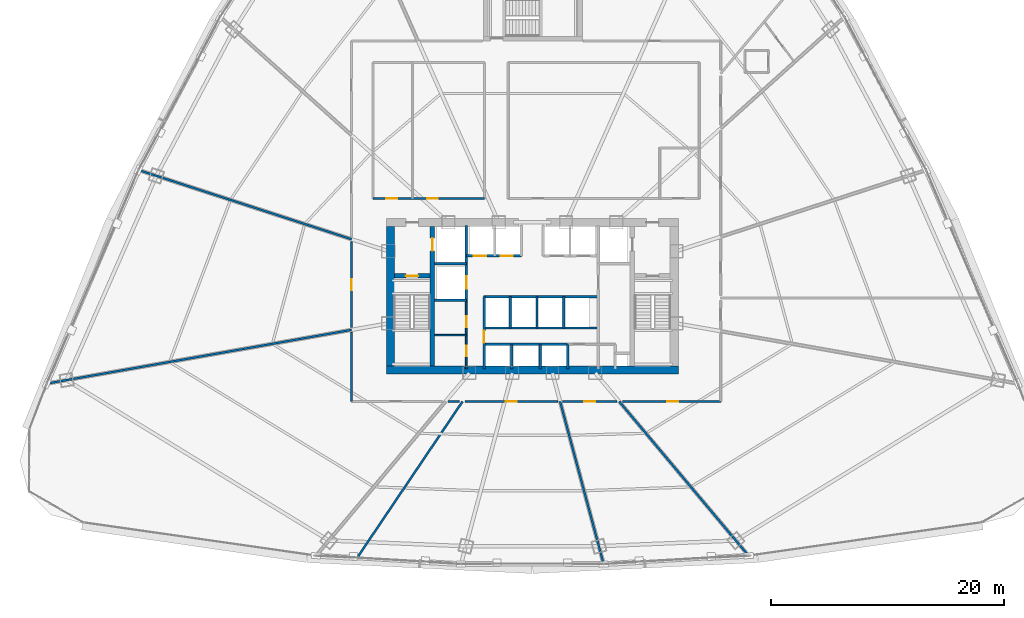
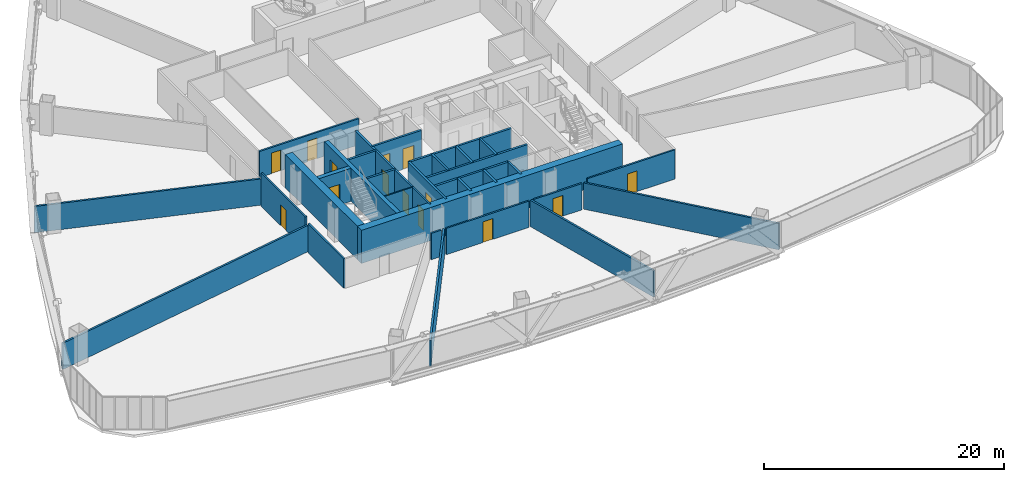
# One storey, part 35 of 42: 32 walls, 14 doors, 14 openings.
"""IFC4 building model written with IfcOpenShell, lengths in metres."""

import ifcopenshell
import ifcopenshell.guid

model = None  # the IFC model being written
_history = None  # IfcOwnerHistory: only IFC2X3 demands one
_inside = {}  # id of a spatial element -> (the spatial element, [elements in it])
_under = {}  # id of a project, library or spatial element -> (it, [spatial elements below it])
_declared = {}  # id of a project -> (the project, [libraries it declares])
_typed = {}  # id of a type object -> (the type object, [elements of that type])
_made_of = {}  # id of a material, layer set ... -> (it, [elements and type objects made of it])


def new_model(schema):
    """Start an empty IFC model of exactly this schema.

    Asked for "IFC4X3", IfcOpenShell would pick the latest addendum, in which some entities
    have other attributes; the version numbers below select the first issue.
    IFC2X3 requires an IfcOwnerHistory on every rooted entity: one is made here for all.
    """
    global model, _history
    if schema == "IFC4X3":
        model = ifcopenshell.file(schema_version=(4, 3, 0, 0))
    else:
        model = ifcopenshell.file(schema=schema)
    _inside.clear()
    _under.clear()
    _declared.clear()
    _typed.clear()
    _made_of.clear()
    _history = None
    if model.schema == "IFC2X3":
        org = make("IfcOrganization", Name="unknown")
        user = make(
            "IfcPersonAndOrganization",
            ThePerson=make("IfcPerson", FamilyName="unknown"),
            TheOrganization=org,
        )
        app = make(
            "IfcApplication",
            ApplicationDeveloper=org,
            Version="unknown",
            ApplicationFullName="unknown",
            ApplicationIdentifier="unknown",
        )
        _history = make(
            "IfcOwnerHistory",
            OwningUser=user,
            OwningApplication=app,
            ChangeAction="ADDED",
            CreationDate=0,
        )
    return model


def make(cls, **values):
    """One entity of the class cls with the attributes given. An attribute that is None is left unset."""
    return model.create_entity(
        cls, **{name: value for name, value in values.items() if value is not None}
    )


def rooted(cls, **values):
    """An entity with a GlobalId (a new one), such as an element, a storey or a relation."""
    return make(cls, GlobalId=ifcopenshell.guid.new(), OwnerHistory=_history, **values)


def si_unit(unit_type, name, prefix=None):
    """IfcSIUnit, for example si_unit("LENGTHUNIT", "METRE", prefix="MILLI")."""
    return make("IfcSIUnit", UnitType=unit_type, Prefix=prefix, Name=name)


def assignment(units):
    """IfcUnitAssignment: the units of a project."""
    return None if units is None else make("IfcUnitAssignment", Units=units)


def point(xyz):
    """IfcCartesianPoint."""
    return None if xyz is None else make("IfcCartesianPoint", Coordinates=xyz)


def direction(xyz):
    """IfcDirection."""
    return None if xyz is None else make("IfcDirection", DirectionRatios=xyz)


def frame(location, z_axis=None, x_axis=None):
    """IfcAxis2Placement3D, a coordinate frame: its origin and axes. An axis left out is left unset."""
    return make(
        "IfcAxis2Placement3D",
        Location=point(location),
        Axis=direction(z_axis),
        RefDirection=direction(x_axis),
    )


def frame_2d(location, x_axis=None):
    """IfcAxis2Placement2D, a coordinate frame in the plane: its origin and x axis."""
    return make(
        "IfcAxis2Placement2D", Location=point(location), RefDirection=direction(x_axis)
    )


def origin():
    """The frame at (0, 0, 0) with its axes left unset."""
    return frame((0.0, 0.0, 0.0))


def origin_with_axes():
    """The frame at (0, 0, 0) with the z axis (0, 0, 1) and the x axis (1, 0, 0) written out."""
    return frame((0.0, 0.0, 0.0), z_axis=(0.0, 0.0, 1.0), x_axis=(1.0, 0.0, 0.0))


def place(relative_to, where):
    """IfcLocalPlacement: puts the frame where relative to a parent placement (None: the world)."""
    return make(
        "IfcLocalPlacement", PlacementRelTo=relative_to, RelativePlacement=where
    )


def context(
    kind, dimensions, precision=None, world=None, true_north=None, identifier=None
):
    """IfcGeometricRepresentationContext, for example the 3D "Model" context."""
    return make(
        "IfcGeometricRepresentationContext",
        ContextIdentifier=identifier,
        ContextType=kind,
        CoordinateSpaceDimension=dimensions,
        Precision=precision,
        WorldCoordinateSystem=world,
        TrueNorth=true_north,
    )


def subcontext(parent, identifier, kind, view, scale=None):
    """IfcGeometricRepresentationSubContext, for example "Body" below "Model"."""
    return make(
        "IfcGeometricRepresentationSubContext",
        ContextIdentifier=identifier,
        ContextType=kind,
        ParentContext=parent,
        TargetScale=scale,
        TargetView=view,
    )


def project(units=None, contexts=None):
    """IfcProject with its units and contexts."""
    return rooted(
        "IfcProject",
        Name="project",
        RepresentationContexts=contexts,
        UnitsInContext=assignment(units),
    )


def spatial(cls, under=None, at=None, **own):
    """A site, building, storey or space (cls), placed at a placement, below another one or the project."""
    s = rooted(cls, ObjectPlacement=at, **own)
    if under is not None:
        _under.setdefault(under.id(), (under, []))[1].append(s)
    return s


def profile(cls, at=None, kind="AREA", **sizes):
    """A parametric profile (cls). Its sizes go by their IFC names, for example OverallWidth=200.0."""
    return make(cls, ProfileType=kind, Position=at, **sizes)


def rectangle(**sizes):
    """IfcRectangleProfileDef."""
    return profile("IfcRectangleProfileDef", **sizes)


def extrude(swept, where, along, depth):
    """IfcExtrudedAreaSolid: the profile swept, set in the frame where, extruded along a direction by depth."""
    return make(
        "IfcExtrudedAreaSolid",
        SweptArea=swept,
        Position=where,
        ExtrudedDirection=direction(along),
        Depth=depth,
    )


def shape(context_of_items, identifier, shape_type, items):
    """IfcShapeRepresentation: the items that make up one representation, for example the "Body"."""
    return make(
        "IfcShapeRepresentation",
        ContextOfItems=context_of_items,
        RepresentationIdentifier=identifier,
        RepresentationType=shape_type,
        Items=items,
    )


def source(mapping_origin, context_of_items, identifier, shape_type, items):
    """IfcRepresentationMap: a shape defined once, which mapped items show again and again."""
    return make(
        "IfcRepresentationMap",
        MappingOrigin=mapping_origin,
        MappedRepresentation=shape(context_of_items, identifier, shape_type, items),
    )


def transform(
    local_origin,
    x_axis=None,
    y_axis=None,
    z_axis=None,
    scale=None,
    scale2=None,
    scale3=None,
    uniform=True,
):
    """IfcCartesianTransformationOperator3D, or its non-uniform kind. x_axis, y_axis, z_axis: its Axis1, 2, 3."""
    if uniform:
        return make(
            "IfcCartesianTransformationOperator3D",
            Axis1=direction(x_axis),
            Axis2=direction(y_axis),
            LocalOrigin=point(local_origin),
            Scale=scale,
            Axis3=direction(z_axis),
        )
    return make(
        "IfcCartesianTransformationOperator3DnonUniform",
        Axis1=direction(x_axis),
        Axis2=direction(y_axis),
        LocalOrigin=point(local_origin),
        Scale=scale,
        Axis3=direction(z_axis),
        Scale2=scale2,
        Scale3=scale3,
    )


def mapped(mapping_source, mapping_target):
    """IfcMappedItem: shows the shape of a source again, moved by a transform."""
    return make(
        "IfcMappedItem", MappingSource=mapping_source, MappingTarget=mapping_target
    )


def material(Name=None, Category=None):
    """IfcMaterial."""
    return make("IfcMaterial", Name=Name, Category=Category)


def layer(
    of_material, thickness, ventilated=None, Name=None, Category=None, Priority=None
):
    """IfcMaterialLayer: one layer of a wall or slab, of a material (None: an air gap)."""
    return make(
        "IfcMaterialLayer",
        Material=of_material,
        LayerThickness=thickness,
        IsVentilated=ventilated,
        Name=Name,
        Category=Category,
        Priority=Priority,
    )


def layer_set(layers, Name=None):
    """IfcMaterialLayerSet."""
    return make("IfcMaterialLayerSet", MaterialLayers=layers, LayerSetName=Name)


def made_of(thing, what):
    """Note that an element or type object is made of a material, layer set ...; save() writes the relation."""
    if what is not None:
        _made_of.setdefault(what.id(), (what, []))[1].append(thing)
    return thing


def type_object(cls, material=None, **own):
    """A type object (cls), such as IfcWallType, which elements share."""
    return made_of(rooted(cls, **own), material)


def element(
    cls,
    number,
    at=None,
    inside=None,
    cuts=None,
    type_object=None,
    material=None,
    context=None,
    identifier="Body",
    shape_type=None,
    held_by="IfcProductDefinitionShape",
    body=None,
    shapes=None,
    **own,
):
    """One element of the class cls, such as IfcWall. Its Tag is "e" and its number.

    at: its placement. inside: the storey or other place that contains it. cuts: it is an
    opening in that element (IfcRelVoidsElement). A single representation is given by context,
    identifier, shape_type and body (its items); several are given by shapes. held_by: the class
    of the entity that holds the representations. save() writes the other relations.
    """
    e = rooted(cls, Tag="e%d" % number, ObjectPlacement=at, **own)
    if body is not None:
        shapes = [shape(context, identifier, shape_type, body)]
    if shapes is not None:
        e.Representation = make(held_by, Representations=shapes)
    if inside is not None:
        _inside.setdefault(inside.id(), (inside, []))[1].append(e)
    if cuts is not None:
        rooted(
            "IfcRelVoidsElement", RelatingBuildingElement=cuts, RelatedOpeningElement=e
        )
    if type_object is not None:
        _typed.setdefault(type_object.id(), (type_object, []))[1].append(e)
    return made_of(e, material)


def fill(opening, filler):
    """IfcRelFillsElement: the door or window that sits in an opening."""
    return rooted(
        "IfcRelFillsElement",
        RelatingOpeningElement=opening,
        RelatedBuildingElement=filler,
    )


def aggregate(whole, parts):
    """IfcRelAggregates: a whole, such as a stair, and the parts it consists of."""
    return rooted("IfcRelAggregates", RelatingObject=whole, RelatedObjects=parts)


def save(model, path):
    """Write the relations noted so far, then the file.

    IfcRelAggregates (storeys below a building ...), IfcRelContainedInSpatialStructure (elements
    in a storey), IfcRelDefinesByType, IfcRelAssociatesMaterial and IfcRelDeclares: one each for
    every whole, place, type object, material and project.
    """
    for whole, parts in _under.values():
        aggregate(whole, parts)
    for where, things in _inside.values():
        rooted(
            "IfcRelContainedInSpatialStructure",
            RelatedElements=things,
            RelatingStructure=where,
        )
    for kind, things in _typed.values():
        rooted("IfcRelDefinesByType", RelatedObjects=things, RelatingType=kind)
    for what, things in _made_of.values():
        rooted("IfcRelAssociatesMaterial", RelatedObjects=things, RelatingMaterial=what)
    for by, libraries in _declared.values():
        rooted("IfcRelDeclares", RelatingContext=by, RelatedDefinitions=libraries)
    model.write(path)


model = new_model("IFC4")

# Units and contexts
model_context = context("Model", 3, precision=1e-05, world=origin(), true_north=direction((0.0, 1.0)))
body_context = subcontext(model_context, "Body", "Model", "MODEL_VIEW")
ifc_project = project(units=[si_unit("LENGTHUNIT", "METRE"), si_unit("AREAUNIT", "SQUARE_METRE"), si_unit("VOLUMEUNIT", "CUBIC_METRE"), si_unit("PLANEANGLEUNIT", "RADIAN"), si_unit("MASSUNIT", "GRAM", prefix="KILO"), si_unit("THERMODYNAMICTEMPERATUREUNIT", "KELVIN"), si_unit("POWERUNIT", "WATT")], contexts=[model_context])

# Site, building, storey
site_placement = place(None, origin())
site = spatial("IfcSite", under=ifc_project, at=site_placement, CompositionType="ELEMENT")
building_placement = place(site_placement, origin())
building = spatial("IfcBuilding", under=site, at=building_placement, Name="Yunzhuo Pagoda Commons", CompositionType="ELEMENT")
storey_placement = place(building_placement, frame((0.0, 0.0, 48.550048828125)))
storey = spatial("IfcBuildingStorey", under=building, at=storey_placement, Name="L12", CompositionType="ELEMENT", Elevation=48.550048828125)

# Walls
ifc_material_1 = material(Name="Concrete C60", Category="concrete")
ifc_layer_1 = layer(ifc_material_1, 0.699951171875)
ifc_layer_set_1 = layer_set([ifc_layer_1], Name="Concrete C60")
wall_type_1 = type_object("IfcWallType", Name="W-C01 Lower Core Shear Wall 700", PredefinedType="SHEAR", material=ifc_layer_set_1)
wall_1_placement = place(storey_placement, frame((35.449951171875, 27.5, 0.0), z_axis=(0.0, 0.0, 1.0), x_axis=(1.0, 0.0, 0.0)))
element("IfcWall", 1, at=wall_1_placement, inside=storey, type_object=wall_type_1, Name="L12 core shear wall S", PredefinedType="SHEAR", context=body_context, shape_type="SweptSolid", body=[
    extrude(rectangle(XDim=25.10009765625, YDim=0.699951171875, at=frame_2d((12.550048828125, 0.0))), origin(), (0.0, 0.0, 1.0), 3.369873046875),
])
wall_2_placement = place(storey_placement, frame((35.800048828125, 27.85009765625, 0.0), z_axis=(0.0, 0.0, 1.0), x_axis=(0.0, 1.0, 0.0)))
element("IfcWall", 2, at=wall_2_placement, inside=storey, type_object=wall_type_1, Name="L12 core shear wall W", PredefinedType="SHEAR", context=body_context, shape_type="SweptSolid", body=[
    extrude(rectangle(XDim=12.0, YDim=0.699951171875, at=frame_2d((6.0, 0.0))), origin(), (0.0, 0.0, 1.0), 3.369873046875),
])

# Wall, openings, doors
ifc_material_2 = material(Name="Gypsum plasterboard on acoustic stud")
ifc_layer_2 = layer(ifc_material_2, 0.159912109375)
ifc_layer_set_2 = layer_set([ifc_layer_2], Name="Gypsum plasterboard on acoustic stud")
wall_type_2 = type_object("IfcWallType", Name="W-COR1 Tower Rated Corridor Wall 160", PredefinedType="PARTITIONING", material=ifc_layer_set_2)
wall_3_placement = place(storey_placement, frame((42.320068359375, 27.60009765625, 0.0), z_axis=(0.0, 0.0, 1.0), x_axis=(0.0, 1.0, 0.0)))
wall_3 = element("IfcWall", 3, at=wall_3_placement, inside=storey, type_object=wall_type_2, Name="L12 interior wall IW-L12-CSWE", PredefinedType="PARTITIONING", context=body_context, shape_type="SweptSolid", body=[
    extrude(rectangle(XDim=5.89990234375, YDim=0.159912109375, at=frame_2d((2.949951171875, 0.0))), origin(), (0.0, 0.0, 1.0), 3.369873046875),
])
opening_1_placement = place(wall_3_placement, frame((1.10009765625, 0.0, 0.0)))
opening_1 = element("IfcOpeningElement", 4, at=opening_1_placement, cuts=wall_3, Name="Opening D-03", PredefinedType="OPENING", context=body_context, shape_type="SweptSolid", body=[
    extrude(rectangle(XDim=0.89990234375, YDim=2.10009765625, at=frame_2d((0.449951171875, 1.050048828125))), frame((0.0, 0.08984375, 0.0), z_axis=(0.0, -1.0, 0.0), x_axis=(1.0, 0.0, 0.0)), (0.0, 0.0, 1.0), 0.179931640625),
])
opening_2_placement = place(wall_3_placement, frame((3.60009765625, 0.0, 0.0)))
opening_2 = element("IfcOpeningElement", 5, at=opening_2_placement, cuts=wall_3, Name="Opening D-11", PredefinedType="OPENING", context=body_context, shape_type="SweptSolid", body=[
    extrude(rectangle(XDim=0.93994140625, YDim=2.10009765625, at=frame_2d((0.469970703125, 1.050048828125))), frame((0.0, 0.08984375, 0.0), z_axis=(0.0, -1.0, 0.0), x_axis=(1.0, 0.0, 0.0)), (0.0, 0.0, 1.0), 0.179931640625),
])
ifc_material_3 = material(Name="Galvanized fire-resisting metal leaf")
door_type_1 = type_object("IfcDoorType", Name="D-03 Core Service Fire Door 900x2100", OperationType="NOTDEFINED", PredefinedType="DOOR", material=ifc_material_3)
shared_shape_1 = source(origin(), body_context, "Body", "SweptSolid", [
    extrude(rectangle(XDim=0.89990234375, YDim=2.10009765625, at=frame_2d((0.449951171875, 1.050048828125))), frame((0.0, 0.02490234375, 0.0), z_axis=(0.0, -1.0, 0.0), x_axis=(1.0, 0.0, 0.0)), (0.0, 0.0, 1.0), 0.050048828125),
])
door_1_placement = place(opening_1_placement, origin_with_axes())
door_1 = element("IfcDoor", 6, at=door_1_placement, inside=storey, type_object=door_type_1, Name="L12 housekeeping door", OperationType="SINGLE_SWING_RIGHT", OverallHeight=2.10009765625, OverallWidth=0.89990234375, PredefinedType="DOOR", context=body_context, shape_type="MappedRepresentation", body=[
    mapped(shared_shape_1, transform((0.0, 0.0, 0.0), scale=1.0)),
])
fill(opening_1, door_1)
door_type_2 = type_object("IfcDoorType", Name="D-11 Accessible Washroom Fire Door 940x2100", OperationType="NOTDEFINED", PredefinedType="DOOR", material=ifc_material_3)
shared_shape_2 = source(origin(), body_context, "Body", "SweptSolid", [
    extrude(rectangle(XDim=0.93994140625, YDim=2.10009765625, at=frame_2d((0.469970703125, 1.050048828125))), frame((0.0, 0.02490234375, 0.0), z_axis=(0.0, -1.0, 0.0), x_axis=(1.0, 0.0, 0.0)), (0.0, 0.0, 1.0), 0.050048828125),
])
door_2_placement = place(opening_2_placement, origin_with_axes())
door_2 = element("IfcDoor", 7, at=door_2_placement, inside=storey, type_object=door_type_2, Name="L12 core WC door", OperationType="SINGLE_SWING_RIGHT", OverallHeight=2.10009765625, OverallWidth=0.93994140625, PredefinedType="DOOR", context=body_context, shape_type="MappedRepresentation", body=[
    mapped(shared_shape_2, transform((0.0, 0.0, 0.0), scale=1.0)),
])
fill(opening_2, door_2)

wall_4_placement = place(storey_placement, frame((34.300048828125, 42.25, 0.0), z_axis=(0.0, 0.0, 1.0), x_axis=(1.0, 0.0, 0.0)))
wall_4 = element("IfcWall", 8, at=wall_4_placement, inside=storey, type_object=wall_type_2, Name="L12 interior wall IW-L12-ISLWS", PredefinedType="PARTITIONING", context=body_context, shape_type="SweptSolid", body=[
    extrude(rectangle(XDim=9.579833984375, YDim=0.159912109375, at=frame_2d((4.7900390625, 0.0))), origin(), (0.0, 0.0, 1.0), 2.669921875),
])
opening_3_placement = place(wall_4_placement, frame((1.14990234375, 0.0, 0.0)))
opening_3 = element("IfcOpeningElement", 9, at=opening_3_placement, cuts=wall_4, Name="Opening D-04", PredefinedType="OPENING", context=body_context, shape_type="SweptSolid", body=[
    extrude(rectangle(XDim=0.919921875, YDim=2.10009765625, at=frame_2d((0.4599609375, 1.050048828125))), frame((0.0, 0.08984375, 0.0), z_axis=(0.0, -1.0, 0.0), x_axis=(1.0, 0.0, 0.0)), (0.0, 0.0, 1.0), 0.179931640625),
])
opening_4_placement = place(wall_4_placement, frame((4.64990234375, 0.0, 0.0)))
opening_4 = element("IfcOpeningElement", 10, at=opening_4_placement, cuts=wall_4, Name="Opening D-04", PredefinedType="OPENING", context=body_context, shape_type="SweptSolid", body=[
    extrude(rectangle(XDim=0.919921875, YDim=2.10009765625, at=frame_2d((0.4599609375, 1.050048828125))), frame((0.0, 0.08984375, 0.0), z_axis=(0.0, -1.0, 0.0), x_axis=(1.0, 0.0, 0.0)), (0.0, 0.0, 1.0), 0.179931640625),
])
ifc_material_4 = material(Name="Powder-coated aluminium and timber acoustic leaf", Category="wood")
door_type_3 = type_object("IfcDoorType", Name="D-04 Bedroom & Study Interior Door 920x2100", OperationType="NOTDEFINED", PredefinedType="DOOR", material=ifc_material_4)
shared_shape_3 = source(origin(), body_context, "Body", "SweptSolid", [
    extrude(rectangle(XDim=0.919921875, YDim=2.10009765625, at=frame_2d((0.4599609375, 1.050048828125))), frame((0.0, 0.02490234375, 0.0), z_axis=(0.0, -1.0, 0.0), x_axis=(1.0, 0.0, 0.0)), (0.0, 0.0, 1.0), 0.050048828125),
])
door_3_placement = place(opening_3_placement, frame((0.919921875, 0.0, 0.0), z_axis=(0.0, 0.0, 1.0), x_axis=(-1.0, 0.0, 0.0)))
door_3 = element("IfcDoor", 11, at=door_3_placement, inside=storey, type_object=door_type_3, Name="L12 laundry door", OperationType="SINGLE_SWING_LEFT", OverallHeight=2.10009765625, OverallWidth=0.919921875, PredefinedType="DOOR", context=body_context, shape_type="MappedRepresentation", body=[
    mapped(shared_shape_3, transform((0.0, 0.0, 0.0), scale=1.0)),
])
fill(opening_3, door_3)
door_4_placement = place(opening_4_placement, frame((0.919921875, 0.0, 0.0), z_axis=(0.0, 0.0, 1.0), x_axis=(-1.0, 0.0, 0.0)))
door_4 = element("IfcDoor", 12, at=door_4_placement, inside=storey, type_object=door_type_3, Name="L12 study commons W door", OperationType="SINGLE_SWING_RIGHT", OverallHeight=2.10009765625, OverallWidth=0.919921875, PredefinedType="DOOR", context=body_context, shape_type="MappedRepresentation", body=[
    mapped(shared_shape_3, transform((0.0, 0.0, 0.0), scale=1.0)),
])
fill(opening_4, door_4)

# Wall
wall_5_placement = place(storey_placement, frame((32.449951171875, 24.800048828125, 0.0), z_axis=(0.0, 0.0, 1.0), x_axis=(0.0, 1.0, 0.0)))
element("IfcWall", 13, at=wall_5_placement, inside=storey, type_object=wall_type_2, Name="L12 interior wall IW-L12-CWL01", PredefinedType="PARTITIONING", context=body_context, shape_type="SweptSolid", body=[
    extrude(rectangle(XDim=5.9345703125, YDim=0.159912109375, at=frame_2d((2.96728515625, 0.0))), origin(), (0.0, 0.0, 1.0), 2.969970703125),
])

# Wall, opening, door
wall_6_placement = place(storey_placement, frame((32.449951171875, 31.177978515625, 0.0), z_axis=(0.0, 0.0, 1.0), x_axis=(0.0, 1.0, 0.0)))
wall_6 = element("IfcWall", 14, at=wall_6_placement, inside=storey, type_object=wall_type_2, Name="L12 interior wall IW-L12-CWL02", PredefinedType="PARTITIONING", context=body_context, shape_type="SweptSolid", body=[
    extrude(rectangle(XDim=7.354736328125, YDim=0.159912109375, at=frame_2d((3.67724609375, 0.0))), origin(), (0.0, 0.0, 1.0), 3.369873046875),
])
opening_5_placement = place(wall_6_placement, frame((3.202392578125, 0.0, 0.0)))
opening_5 = element("IfcOpeningElement", 15, at=opening_5_placement, cuts=wall_6, Name="Opening D-06", PredefinedType="OPENING", context=body_context, shape_type="SweptSolid", body=[
    extrude(rectangle(XDim=0.949951171875, YDim=2.10009765625, at=frame_2d((0.47509765625, 1.050048828125))), frame((0.0, 0.08984375, 0.0), z_axis=(0.0, -1.0, 0.0), x_axis=(1.0, 0.0, 0.0)), (0.0, 0.0, 1.0), 0.179931640625),
])
door_type_4 = type_object("IfcDoorType", Name="D-06 Co-Living Suite Entrance Fire Door 950x2100", OperationType="NOTDEFINED", PredefinedType="DOOR", material=ifc_material_3)
shared_shape_4 = source(origin(), body_context, "Body", "SweptSolid", [
    extrude(rectangle(XDim=0.949951171875, YDim=2.10009765625, at=frame_2d((0.47509765625, 1.050048828125))), frame((0.0, 0.02490234375, 0.0), z_axis=(0.0, -1.0, 0.0), x_axis=(1.0, 0.0, 0.0)), (0.0, 0.0, 1.0), 0.050048828125),
])
door_5_placement = place(opening_5_placement, origin_with_axes())
door_5 = element("IfcDoor", 16, at=door_5_placement, inside=storey, type_object=door_type_4, Name="L12 unit 07 entrance door", OperationType="SINGLE_SWING_RIGHT", OverallHeight=2.10009765625, OverallWidth=0.949951171875, PredefinedType="DOOR", context=body_context, shape_type="MappedRepresentation", body=[
    mapped(shared_shape_4, transform((0.0, 0.0, 0.0), scale=1.0)),
])
fill(opening_5, door_5)

wall_7_placement = place(storey_placement, frame((64.199951171875, 24.800048828125, 0.0), z_axis=(0.0, 0.0, 1.0), x_axis=(-1.0, 0.0, 0.0)))
wall_7 = element("IfcWall", 17, at=wall_7_placement, inside=storey, type_object=wall_type_2, Name="L12 interior wall IW-L12-CWL14", PredefinedType="PARTITIONING", context=body_context, shape_type="SweptSolid", body=[
    extrude(rectangle(XDim=8.44482421875, YDim=0.159912109375, at=frame_2d((4.222412109375, 0.0))), origin(), (0.0, 0.0, 1.0), 2.969970703125),
])
opening_6_placement = place(wall_7_placement, frame((3.660888671875, 0.0, 0.0)))
opening_6 = element("IfcOpeningElement", 18, at=opening_6_placement, cuts=wall_7, Name="Opening D-06", PredefinedType="OPENING", context=body_context, shape_type="SweptSolid", body=[
    extrude(rectangle(XDim=0.949951171875, YDim=2.10009765625, at=frame_2d((0.47509765625, 1.050048828125))), frame((0.0, 0.08984375, 0.0), z_axis=(0.0, -1.0, 0.0), x_axis=(1.0, 0.0, 0.0)), (0.0, 0.0, 1.0), 0.179931640625),
])
door_6_placement = place(opening_6_placement, origin_with_axes())
door_6 = element("IfcDoor", 19, at=door_6_placement, inside=storey, type_object=door_type_4, Name="L12 unit 12 entrance door", OperationType="SINGLE_SWING_LEFT", OverallHeight=2.10009765625, OverallWidth=0.949951171875, PredefinedType="DOOR", context=body_context, shape_type="MappedRepresentation", body=[
    mapped(shared_shape_4, transform((0.0, 0.0, 0.0), scale=1.0)),
])
fill(opening_6, door_6)

wall_8_placement = place(storey_placement, frame((55.248046875, 24.800048828125, 0.0), z_axis=(0.0, 0.0, 1.0), x_axis=(-1.0, 0.0, 0.0)))
wall_8 = element("IfcWall", 20, at=wall_8_placement, inside=storey, type_object=wall_type_2, Name="L12 interior wall IW-L12-CWL15", PredefinedType="PARTITIONING", context=body_context, shape_type="SweptSolid", body=[
    extrude(rectangle(XDim=4.635498046875, YDim=0.159912109375, at=frame_2d((2.31787109375, 0.0))), origin(), (0.0, 0.0, 1.0), 2.669921875),
])
opening_7_placement = place(wall_8_placement, frame((1.8466796875, 0.0, 0.0)))
opening_7 = element("IfcOpeningElement", 21, at=opening_7_placement, cuts=wall_8, Name="Opening D-06", PredefinedType="OPENING", context=body_context, shape_type="SweptSolid", body=[
    extrude(rectangle(XDim=0.949951171875, YDim=2.10009765625, at=frame_2d((0.47509765625, 1.050048828125))), frame((0.0, 0.08984375, 0.0), z_axis=(0.0, -1.0, 0.0), x_axis=(1.0, 0.0, 0.0)), (0.0, 0.0, 1.0), 0.179931640625),
])
door_7_placement = place(opening_7_placement, origin_with_axes())
door_7 = element("IfcDoor", 22, at=door_7_placement, inside=storey, type_object=door_type_4, Name="L12 unit 11 entrance door", OperationType="SINGLE_SWING_RIGHT", OverallHeight=2.10009765625, OverallWidth=0.949951171875, PredefinedType="DOOR", context=body_context, shape_type="MappedRepresentation", body=[
    mapped(shared_shape_4, transform((0.0, 0.0, 0.0), scale=1.0)),
])
fill(opening_7, door_7)

wall_9_placement = place(storey_placement, frame((50.164794921875, 24.800048828125, 0.0), z_axis=(0.0, 0.0, 1.0), x_axis=(-1.0, 0.0, 0.0)))
wall_9 = element("IfcWall", 23, at=wall_9_placement, inside=storey, type_object=wall_type_2, Name="L12 interior wall IW-L12-CWL16", PredefinedType="PARTITIONING", context=body_context, shape_type="SweptSolid", body=[
    extrude(rectangle(XDim=7.947998046875, YDim=0.159912109375, at=frame_2d((3.97412109375, 0.0))), origin(), (0.0, 0.0, 1.0), 2.669921875),
])
opening_8_placement = place(wall_9_placement, frame((3.4990234375, 0.0, 0.0)))
opening_8 = element("IfcOpeningElement", 24, at=opening_8_placement, cuts=wall_9, Name="Opening D-06", PredefinedType="OPENING", context=body_context, shape_type="SweptSolid", body=[
    extrude(rectangle(XDim=0.949951171875, YDim=2.10009765625, at=frame_2d((0.47509765625, 1.050048828125))), frame((0.0, 0.08984375, 0.0), z_axis=(0.0, -1.0, 0.0), x_axis=(1.0, 0.0, 0.0)), (0.0, 0.0, 1.0), 0.179931640625),
])
door_8_placement = place(opening_8_placement, origin_with_axes())
door_8 = element("IfcDoor", 25, at=door_8_placement, inside=storey, type_object=door_type_4, Name="L12 Resident Co-Living Commons Hall door", OperationType="SINGLE_SWING_LEFT", OverallHeight=2.10009765625, OverallWidth=0.949951171875, PredefinedType="DOOR", context=body_context, shape_type="MappedRepresentation", body=[
    mapped(shared_shape_4, transform((0.0, 0.0, 0.0), scale=1.0)),
])
fill(opening_8, door_8)

# Walls
wall_10_placement = place(storey_placement, frame((41.7314453125, 24.800048828125, 0.0), z_axis=(0.0, 0.0, 1.0), x_axis=(-1.0, 0.0, 0.0)))
element("IfcWall", 26, at=wall_10_placement, inside=storey, type_object=wall_type_2, Name="L12 interior wall IW-L12-CWL17", PredefinedType="PARTITIONING", context=body_context, shape_type="SweptSolid", body=[
    extrude(rectangle(XDim=0.9794921875, YDim=0.159912109375, at=frame_2d((0.48974609375, 0.0))), origin(), (0.0, 0.0, 1.0), 2.669921875),
])
ifc_layer_3 = layer(ifc_material_2, 0.1201171875)
ifc_layer_set_3 = layer_set([ifc_layer_3], Name="Gypsum plasterboard on acoustic stud")
wall_type_3 = type_object("IfcWallType", Name="W-PRT1 Suite & Bathroom Partition 120", PredefinedType="PARTITIONING", material=ifc_layer_set_3)
wall_11_placement = place(storey_placement, frame((39.60009765625, 30.5, 0.0), z_axis=(0.0, 0.0, 1.0), x_axis=(1.0, 0.0, 0.0)))
element("IfcWall", 27, at=wall_11_placement, inside=storey, type_object=wall_type_3, Name="L12 interior wall IW-L12-CB1", PredefinedType="PARTITIONING", context=body_context, shape_type="SweptSolid", body=[
    extrude(rectangle(XDim=2.719970703125, YDim=0.1201171875, at=frame_2d((1.35986328125, 0.0))), origin(), (0.0, 0.0, 1.0), 3.369873046875),
])
ifc_layer_4 = layer(ifc_material_2, 0.179931640625)
ifc_layer_set_4 = layer_set([ifc_layer_4], Name="Gypsum plasterboard on acoustic stud")
wall_type_4 = type_object("IfcWallType", Name="W-PRT2 Acoustic Unit Demising Wall 180", PredefinedType="PARTITIONING", material=ifc_layer_set_4)
wall_12_placement = place(storey_placement, frame((32.449951171875, 38.75244140625, 0.0), z_axis=(0.0, 0.0, 1.0), x_axis=(-0.951055021268, 0.309021595557, 0.0)))
element("IfcWall", 28, at=wall_12_placement, inside=storey, type_object=wall_type_4, Name="L12 interior wall IW-L12-RAD07", PredefinedType="PARTITIONING", context=body_context, shape_type="SweptSolid", body=[
    extrude(rectangle(XDim=19.264404296875, YDim=0.179931640625, at=frame_2d((9.63232421875, 0.0))), origin(), (0.0, 0.0, 1.0), 2.669921875),
])
wall_13_placement = place(storey_placement, frame((32.449951171875, 30.9580078125, 0.0), z_axis=(0.0, 0.0, 1.0), x_axis=(-0.984808390998, -0.173644559431, 0.0)))
element("IfcWall", 29, at=wall_13_placement, inside=storey, type_object=wall_type_4, Name="L12 interior wall IW-L12-RAD08", PredefinedType="PARTITIONING", context=body_context, shape_type="SweptSolid", body=[
    extrude(rectangle(XDim=26.61376953125, YDim=0.179931640625, at=frame_2d((13.306884765625, 0.0))), origin(), (0.0, 0.0, 1.0), 2.669921875),
])
wall_14_placement = place(storey_placement, frame((41.996826171875, 24.800048828125, 0.0), z_axis=(0.0, 0.0, 1.0), x_axis=(-0.559182499599, -0.82904458996, 0.0)))
element("IfcWall", 30, at=wall_14_placement, inside=storey, type_object=wall_type_4, Name="L12 interior wall IW-L12-RAD10", PredefinedType="PARTITIONING", context=body_context, shape_type="SweptSolid", body=[
    extrude(rectangle(XDim=16.248291015625, YDim=0.179931640625, at=frame_2d((8.1240234375, 0.0))), origin(), (0.0, 0.0, 1.0), 2.669921875),
])
wall_15_placement = place(storey_placement, frame((50.384765625, 24.800048828125, 0.0), z_axis=(0.0, 0.0, 1.0), x_axis=(0.258819787056, -0.965925627483, 0.0)))
element("IfcWall", 31, at=wall_15_placement, inside=storey, type_object=wall_type_4, Name="L12 interior wall IW-L12-RAD11", PredefinedType="PARTITIONING", context=body_context, shape_type="SweptSolid", body=[
    extrude(rectangle(XDim=14.482177734375, YDim=0.179931640625, at=frame_2d((7.2412109375, 0.0))), origin(), (0.0, 0.0, 1.0), 2.669921875),
])
wall_16_placement = place(storey_placement, frame((55.468017578125, 24.800048828125, 0.0), z_axis=(0.0, 0.0, 1.0), x_axis=(0.642784696521, -0.766046887546, 0.0)))
element("IfcWall", 32, at=wall_16_placement, inside=storey, type_object=wall_type_4, Name="L12 interior wall IW-L12-RAD12", PredefinedType="PARTITIONING", context=body_context, shape_type="SweptSolid", body=[
    extrude(rectangle(XDim=17.31884765625, YDim=0.179931640625, at=frame_2d((8.659423828125, 0.0))), origin(), (0.0, 0.0, 1.0), 2.669921875),
])

# Wall, opening, door
ifc_layer_5 = layer(ifc_material_1, 0.39990234375)
ifc_layer_set_5 = layer_set([ifc_layer_5], Name="Concrete C60")
wall_type_5 = type_object("IfcWallType", Name="W-S01 Internal Core Shear Web 400", PredefinedType="SHEAR", material=ifc_layer_set_5)
wall_17_placement = place(storey_placement, frame((39.39990234375, 27.85009765625, 0.0), z_axis=(0.0, 0.0, 1.0), x_axis=(0.0, 1.0, 0.0)))
wall_17 = element("IfcWall", 33, at=wall_17_placement, inside=storey, type_object=wall_type_5, Name="L12 core shear wall WEBW", PredefinedType="SHEAR", context=body_context, shape_type="SweptSolid", body=[
    extrude(rectangle(XDim=12.0, YDim=0.39990234375, at=frame_2d((6.0, 0.0))), origin(), (0.0, 0.0, 1.0), 3.369873046875),
])
opening_9_placement = place(wall_17_placement, frame((9.89990234375, 0.0, 0.0)))
opening_9 = element("IfcOpeningElement", 34, at=opening_9_placement, cuts=wall_17, Name="Opening LD-01", PredefinedType="OPENING", context=body_context, shape_type="SweptSolid", body=[
    extrude(rectangle(XDim=1.10009765625, YDim=2.10009765625, at=frame_2d((0.550048828125, 1.050048828125))), frame((0.0, 0.2099609375, 0.0), z_axis=(0.0, -1.0, 0.0), x_axis=(1.0, 0.0, 0.0)), (0.0, 0.0, 1.0), 0.419921875),
])
door_type_5 = type_object("IfcDoorType", Name="LD-01 Firefighting Lift Landing Door 1100x2100", OperationType="DOUBLE_DOOR_SLIDING", PredefinedType="DOOR", material=ifc_material_3)
shared_shape_5 = source(origin(), body_context, "Body", "SweptSolid", [
    extrude(rectangle(XDim=1.10009765625, YDim=2.10009765625, at=frame_2d((0.550048828125, 1.050048828125))), frame((0.0, 0.02490234375, 0.0), z_axis=(0.0, -1.0, 0.0), x_axis=(1.0, 0.0, 0.0)), (0.0, 0.0, 1.0), 0.050048828125),
])
door_9_placement = place(opening_9_placement, frame((1.10009765625, 0.0, 0.0), z_axis=(0.0, 0.0, 1.0), x_axis=(-1.0, 0.0, 0.0)))
door_9 = element("IfcDoor", 35, at=door_9_placement, inside=storey, type_object=door_type_5, Name="L12 Firefighting lift FL-1 landing door", OperationType="DOUBLE_DOOR_SLIDING", OverallHeight=2.10009765625, OverallWidth=1.10009765625, PredefinedType="DOOR", context=body_context, shape_type="MappedRepresentation", body=[
    mapped(shared_shape_5, transform((0.0, 0.0, 0.0), scale=1.0)),
])
fill(opening_9, door_9)

wall_18_placement = place(storey_placement, frame((36.14990234375, 35.60009765625, 0.0), z_axis=(0.0, 0.0, 1.0), x_axis=(1.0, 0.0, 0.0)))
wall_18 = element("IfcWall", 36, at=wall_18_placement, inside=storey, type_object=wall_type_5, Name="L12 core shear wall STW", PredefinedType="SHEAR", context=body_context, shape_type="SweptSolid", body=[
    extrude(rectangle(XDim=3.050048828125, YDim=0.39990234375, at=frame_2d((1.52490234375, 0.0))), origin(), (0.0, 0.0, 1.0), 3.369873046875),
])
opening_10_placement = place(wall_18_placement, frame((0.969970703125, 0.0, 0.0)))
opening_10 = element("IfcOpeningElement", 37, at=opening_10_placement, cuts=wall_18, Name="Opening D-01", PredefinedType="OPENING", context=body_context, shape_type="SweptSolid", body=[
    extrude(rectangle(XDim=1.050048828125, YDim=2.10009765625, at=frame_2d((0.52490234375, 1.050048828125))), frame((0.0, 0.2099609375, 0.0), z_axis=(0.0, -1.0, 0.0), x_axis=(1.0, 0.0, 0.0)), (0.0, 0.0, 1.0), 0.419921875),
])
door_type_6 = type_object("IfcDoorType", Name="D-01 Smokeproof Stair Fire Door 1050x2100", OperationType="NOTDEFINED", PredefinedType="DOOR", material=ifc_material_3)
shared_shape_6 = source(origin(), body_context, "Body", "SweptSolid", [
    extrude(rectangle(XDim=1.050048828125, YDim=2.10009765625, at=frame_2d((0.52490234375, 1.050048828125))), frame((0.0, 0.02490234375, 0.0), z_axis=(0.0, -1.0, 0.0), x_axis=(1.0, 0.0, 0.0)), (0.0, 0.0, 1.0), 0.050048828125),
])
door_10_placement = place(opening_10_placement, frame((1.050048828125, 0.0, 0.0), z_axis=(0.0, 0.0, 1.0), x_axis=(-1.0, 0.0, 0.0)))
door_10 = element("IfcDoor", 38, at=door_10_placement, inside=storey, type_object=door_type_6, Name="L12 Stair ST1 fire door", OperationType="SINGLE_SWING_LEFT", OverallHeight=2.10009765625, OverallWidth=1.050048828125, PredefinedType="DOOR", context=body_context, shape_type="MappedRepresentation", body=[
    mapped(shared_shape_6, transform((0.0, 0.0, 0.0), scale=1.0)),
])
fill(opening_10, door_10)

ifc_material_5 = material(Name="Concrete C40", Category="concrete")
ifc_layer_6 = layer(ifc_material_5, 0.199951171875)
ifc_layer_set_6 = layer_set([ifc_layer_6], Name="Concrete C40")
wall_type_6 = type_object("IfcWallType", Name="W-SHF Shaft & Stair Enclosure Wall 200", PredefinedType="SOLIDWALL", material=ifc_layer_set_6)
wall_19_placement = place(storey_placement, frame((42.320068359375, 33.5, 0.0), z_axis=(0.0, 0.0, 1.0), x_axis=(0.0, 1.0, 0.0)))
wall_19 = element("IfcWall", 39, at=wall_19_placement, inside=storey, type_object=wall_type_6, Name="L12 interior wall IW-L12-FL1E", PredefinedType="SOLIDWALL", context=body_context, shape_type="SweptSolid", body=[
    extrude(rectangle(XDim=6.449951171875, YDim=0.199951171875, at=frame_2d((3.22509765625, 0.0))), origin(), (0.0, 0.0, 1.0), 3.369873046875),
])
opening_11_placement = place(wall_19_placement, frame((1.0, 0.0, 0.0)))
opening_11 = element("IfcOpeningElement", 40, at=opening_11_placement, cuts=wall_19, Name="Opening LD-02", PredefinedType="OPENING", context=body_context, shape_type="SweptSolid", body=[
    extrude(rectangle(XDim=1.050048828125, YDim=2.10009765625, at=frame_2d((0.52490234375, 1.050048828125))), frame((0.0, 0.10986328125, 0.0), z_axis=(0.0, -1.0, 0.0), x_axis=(1.0, 0.0, 0.0)), (0.0, 0.0, 1.0), 0.219970703125),
])
door_type_7 = type_object("IfcDoorType", Name="LD-02 Passenger Lift Landing Door 1050x2100", OperationType="DOUBLE_DOOR_SLIDING", PredefinedType="DOOR", material=ifc_material_3)
door_11_placement = place(opening_11_placement, origin_with_axes())
door_11 = element("IfcDoor", 41, at=door_11_placement, inside=storey, type_object=door_type_7, Name="L12 Service lift SL-1 landing door", OperationType="DOUBLE_DOOR_SLIDING", OverallHeight=2.10009765625, OverallWidth=1.050048828125, PredefinedType="DOOR", context=body_context, shape_type="MappedRepresentation", body=[
    mapped(shared_shape_6, transform((0.0, 0.0, 0.0), scale=1.0)),
])
fill(opening_11, door_11)

# Walls
for number, where, z_axis, x_axis, name in (
    (42, (39.60009765625, 36.64990234375, 0.0), (0.0, 0.0, 1.0), (1.0, 0.0, 0.0), "L12 interior wall IW-L12-FL1S"),
    (43, (39.60009765625, 33.5, 0.0), (0.0, 0.0, 1.0), (1.0, 0.0, 0.0), "L12 interior wall IW-L12-SL1S"),
):
    element("IfcWall", number, at=place(storey_placement, frame(where, z_axis=z_axis, x_axis=x_axis)), inside=storey, type_object=wall_type_6, Name=name, PredefinedType="SOLIDWALL", context=body_context, shape_type="SweptSolid", body=[
        extrude(rectangle(XDim=2.719970703125, YDim=0.199951171875, at=frame_2d((1.35986328125, 0.0))), origin(), (0.0, 0.0, 1.0), 3.369873046875),
    ])

# Wall, openings, doors
wall_20_placement = place(storey_placement, frame((42.320068359375, 37.320068359375, 0.0), z_axis=(0.0, 0.0, 1.0), x_axis=(1.0, 0.0, 0.0)))
wall_20 = element("IfcWall", 44, at=wall_20_placement, inside=storey, type_object=wall_type_6, Name="L12 interior wall IW-L12-LBNW", PredefinedType="SOLIDWALL", context=body_context, shape_type="SweptSolid", body=[
    extrude(rectangle(XDim=4.72998046875, YDim=0.199951171875, at=frame_2d((2.364990234375, 0.0))), origin(), (0.0, 0.0, 1.0), 3.369873046875),
])
opening_12_placement = place(wall_20_placement, frame((0.64990234375, 0.0, 0.0)))
opening_12 = element("IfcOpeningElement", 45, at=opening_12_placement, cuts=wall_20, Name="Opening LD-02", PredefinedType="OPENING", context=body_context, shape_type="SweptSolid", body=[
    extrude(rectangle(XDim=1.050048828125, YDim=2.10009765625, at=frame_2d((0.52490234375, 1.050048828125))), frame((0.0, 0.10986328125, 0.0), z_axis=(0.0, -1.0, 0.0), x_axis=(1.0, 0.0, 0.0)), (0.0, 0.0, 1.0), 0.219970703125),
])
opening_13_placement = place(wall_20_placement, frame((2.949951171875, 0.0, 0.0)))
opening_13 = element("IfcOpeningElement", 46, at=opening_13_placement, cuts=wall_20, Name="Opening LD-02", PredefinedType="OPENING", context=body_context, shape_type="SweptSolid", body=[
    extrude(rectangle(XDim=1.050048828125, YDim=2.10009765625, at=frame_2d((0.52490234375, 1.050048828125))), frame((0.0, 0.10986328125, 0.0), z_axis=(0.0, -1.0, 0.0), x_axis=(1.0, 0.0, 0.0)), (0.0, 0.0, 1.0), 0.219970703125),
])
door_12_placement = place(opening_12_placement, frame((1.050048828125, 0.0, 0.0), z_axis=(0.0, 0.0, 1.0), x_axis=(-1.0, 0.0, 0.0)))
door_12 = element("IfcDoor", 47, at=door_12_placement, inside=storey, type_object=door_type_7, Name="L12 Passenger lift PL-L1 landing door", OperationType="DOUBLE_DOOR_SLIDING", OverallHeight=2.10009765625, OverallWidth=1.050048828125, PredefinedType="DOOR", context=body_context, shape_type="MappedRepresentation", body=[
    mapped(shared_shape_6, transform((0.0, 0.0, 0.0), scale=1.0)),
])
fill(opening_12, door_12)
door_13_placement = place(opening_13_placement, frame((1.050048828125, 0.0, 0.0), z_axis=(0.0, 0.0, 1.0), x_axis=(-1.0, 0.0, 0.0)))
door_13 = element("IfcDoor", 48, at=door_13_placement, inside=storey, type_object=door_type_7, Name="L12 Passenger lift PL-L2 landing door", OperationType="DOUBLE_DOOR_SLIDING", OverallHeight=2.10009765625, OverallWidth=1.050048828125, PredefinedType="DOOR", context=body_context, shape_type="MappedRepresentation", body=[
    mapped(shared_shape_6, transform((0.0, 0.0, 0.0), scale=1.0)),
])
fill(opening_13, door_13)

# Wall
wall_21_placement = place(storey_placement, frame((43.85009765625, 33.820068359375, 0.0), z_axis=(0.0, 0.0, 1.0), x_axis=(1.0, 0.0, 0.0)))
element("IfcWall", 49, at=wall_21_placement, inside=storey, type_object=wall_type_6, Name="L12 interior wall IW-L12-MLBS", PredefinedType="SOLIDWALL", context=body_context, shape_type="SweptSolid", body=[
    extrude(rectangle(XDim=9.829833984375, YDim=0.199951171875, at=frame_2d((4.9150390625, 0.0))), origin(), (0.0, 0.0, 1.0), 3.369873046875),
])

# Wall, opening, door
wall_22_placement = place(storey_placement, frame((43.85009765625, 27.60009765625, 0.0), z_axis=(0.0, 0.0, 1.0), x_axis=(0.0, 1.0, 0.0)))
wall_22 = element("IfcWall", 50, at=wall_22_placement, inside=storey, type_object=wall_type_6, Name="L12 interior wall IW-L12-PLMW", PredefinedType="SOLIDWALL", context=body_context, shape_type="SweptSolid", body=[
    extrude(rectangle(XDim=6.219970703125, YDim=0.199951171875, at=frame_2d((3.10986328125, 0.0))), origin(), (0.0, 0.0, 1.0), 3.369873046875),
])
opening_14_placement = place(wall_22_placement, frame((2.25, 0.0, 0.0)))
opening_14 = element("IfcOpeningElement", 51, at=opening_14_placement, cuts=wall_22, Name="Opening D-02", PredefinedType="OPENING", context=body_context, shape_type="SweptSolid", body=[
    extrude(rectangle(XDim=1.050048828125, YDim=2.10009765625, at=frame_2d((0.52490234375, 1.050048828125))), frame((0.0, 0.10986328125, 0.0), z_axis=(0.0, -1.0, 0.0), x_axis=(1.0, 0.0, 0.0)), (0.0, 0.0, 1.0), 0.219970703125),
])
door_type_8 = type_object("IfcDoorType", Name="D-02 Firefighting Lobby & Refuge Fire Door 1050x2100", OperationType="NOTDEFINED", PredefinedType="DOOR", material=ifc_material_3)
door_14_placement = place(opening_14_placement, frame((1.050048828125, 0.0, 0.0), z_axis=(0.0, 0.0, 1.0), x_axis=(-1.0, 0.0, 0.0)))
door_14 = element("IfcDoor", 52, at=door_14_placement, inside=storey, type_object=door_type_8, Name="L12 High-bank hall west door", OperationType="SINGLE_SWING_LEFT", OverallHeight=2.10009765625, OverallWidth=1.050048828125, PredefinedType="DOOR", context=body_context, shape_type="MappedRepresentation", body=[
    mapped(shared_shape_6, transform((0.0, 0.0, 0.0), scale=1.0)),
])
fill(opening_14, door_14)

# Walls
for number, where, z_axis, x_axis, name in (
    (53, (46.10009765625, 31.1201171875, 0.0), (0.0, 0.0, 1.0), (0.0, 1.0, 0.0), "L12 interior wall IW-L12-PLMD1"),
    (54, (48.39990234375, 31.1201171875, 0.0), (0.0, 0.0, 1.0), (0.0, 1.0, 0.0), "L12 interior wall IW-L12-PLMD2"),
    (55, (50.699951171875, 31.1201171875, 0.0), (0.0, 0.0, 1.0), (0.0, 1.0, 0.0), "L12 interior wall IW-L12-PLMD3"),
):
    element("IfcWall", number, at=place(storey_placement, frame(where, z_axis=z_axis, x_axis=x_axis)), inside=storey, type_object=wall_type_6, Name=name, PredefinedType="SOLIDWALL", context=body_context, shape_type="SweptSolid", body=[
        extrude(rectangle(XDim=2.699951171875, YDim=0.199951171875, at=frame_2d((1.35009765625, 0.0))), origin(), (0.0, 0.0, 1.0), 3.369873046875),
    ])
wall_23_placement = place(storey_placement, frame((43.85009765625, 29.719970703125, 0.0), z_axis=(0.0, 0.0, 1.0), x_axis=(1.0, 0.0, 0.0)))
element("IfcWall", 56, at=wall_23_placement, inside=storey, type_object=wall_type_6, Name="L12 interior wall IW-L12-PLHN", PredefinedType="SOLIDWALL", context=body_context, shape_type="SweptSolid", body=[
    extrude(rectangle(XDim=7.199951171875, YDim=0.199951171875, at=frame_2d((3.60009765625, 0.0))), origin(), (0.0, 0.0, 1.0), 3.369873046875),
])
wall_24_placement = place(storey_placement, frame((51.050048828125, 27.60009765625, 0.0), z_axis=(0.0, 0.0, 1.0), x_axis=(0.0, 1.0, 0.0)))
element("IfcWall", 57, at=wall_24_placement, inside=storey, type_object=wall_type_6, Name="L12 interior wall IW-L12-PLHE", PredefinedType="SOLIDWALL", context=body_context, shape_type="SweptSolid", body=[
    extrude(rectangle(XDim=2.119873046875, YDim=0.199951171875, at=frame_2d((1.06005859375, 0.0))), origin(), (0.0, 0.0, 1.0), 3.369873046875),
])
wall_25_placement = place(storey_placement, frame((43.85009765625, 31.1201171875, 0.0), z_axis=(0.0, 0.0, 1.0), x_axis=(1.0, 0.0, 0.0)))
element("IfcWall", 58, at=wall_25_placement, inside=storey, type_object=wall_type_6, Name="L12 interior wall IW-L12-PLMS2", PredefinedType="SOLIDWALL", context=body_context, shape_type="SweptSolid", body=[
    extrude(rectangle(XDim=9.829833984375, YDim=0.199951171875, at=frame_2d((4.9150390625, 0.0))), origin(), (0.0, 0.0, 1.0), 3.369873046875),
])
for number, where, z_axis, x_axis, name in (
    (59, (46.22509765625, 27.60009765625, 0.0), (0.0, 0.0, 1.0), (0.0, 1.0, 0.0), "L12 interior wall IW-L12-PLHD1"),
    (60, (48.675048828125, 27.60009765625, 0.0), (0.0, 0.0, 1.0), (0.0, 1.0, 0.0), "L12 interior wall IW-L12-PLHD2"),
):
    element("IfcWall", number, at=place(storey_placement, frame(where, z_axis=z_axis, x_axis=x_axis)), inside=storey, type_object=wall_type_6, Name=name, PredefinedType="SOLIDWALL", context=body_context, shape_type="SweptSolid", body=[
        extrude(rectangle(XDim=2.119873046875, YDim=0.199951171875, at=frame_2d((1.06005859375, 0.0))), origin(), (0.0, 0.0, 1.0), 3.369873046875),
    ])

save(model, "model.ifc")
